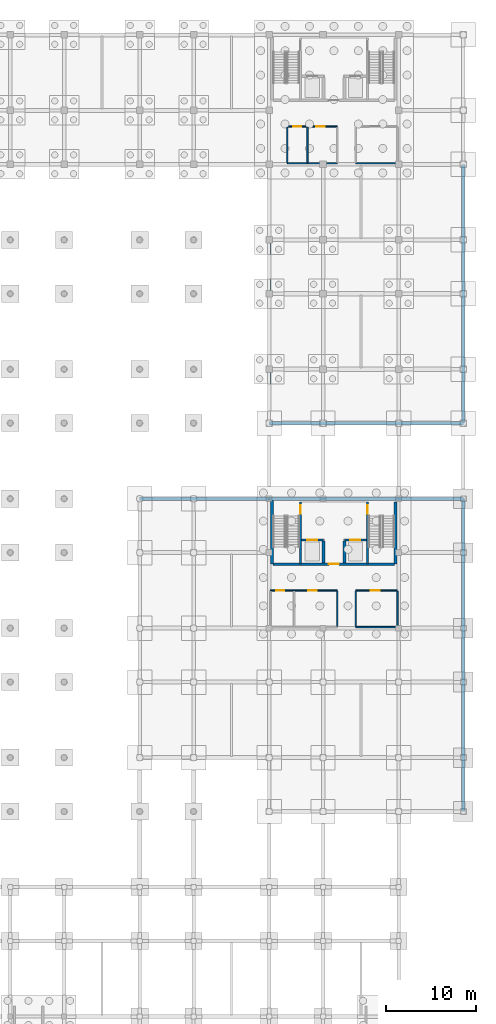
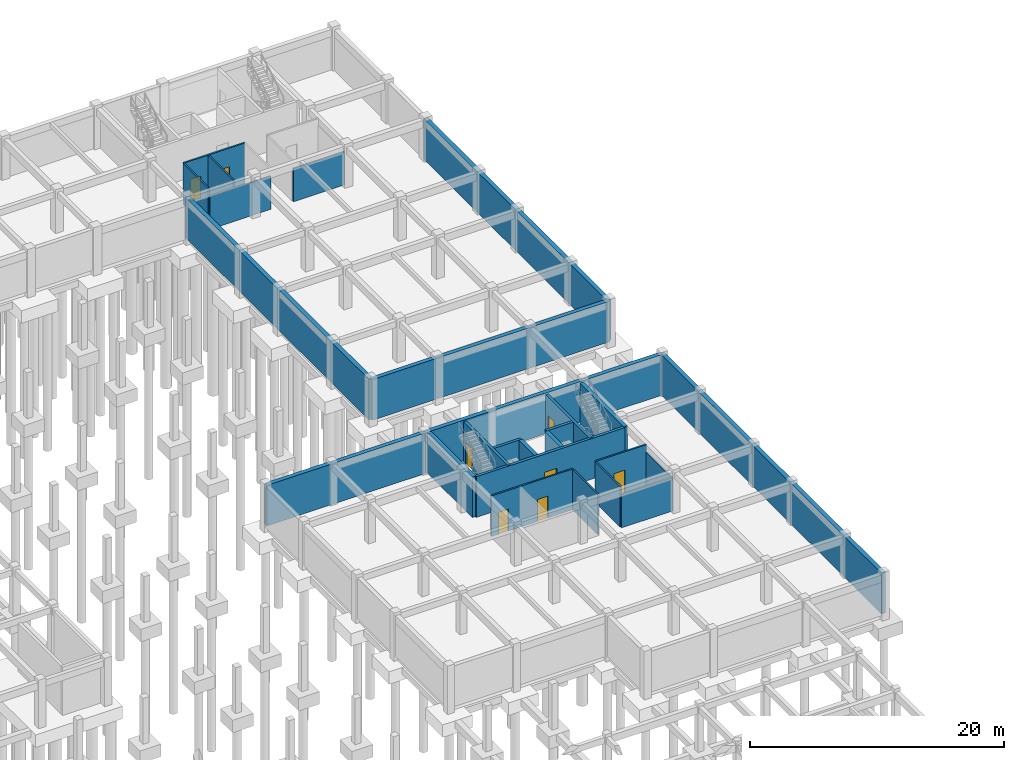
# One storey, part 30 of 40: 26 walls, 10 doors, 10 openings.
"""IFC4 building model written with IfcOpenShell, lengths in metres."""

from ifc_helpers import new_model, si_unit, direction, frame, frame_2d, origin, place, context, subcontext, project, spatial, rectangle, extrude, material, layer, layer_set, type_object, element, fill, save


model = new_model("IFC4")

# Units and contexts
model_context = context("Model", 3, precision=1e-05, world=origin(), true_north=direction((0.0, 1.0)))
body_context = subcontext(model_context, "Body", "Model", "MODEL_VIEW")
ifc_project = project(units=[si_unit("LENGTHUNIT", "METRE"), si_unit("AREAUNIT", "SQUARE_METRE"), si_unit("VOLUMEUNIT", "CUBIC_METRE"), si_unit("PLANEANGLEUNIT", "RADIAN"), si_unit("MASSUNIT", "GRAM", prefix="KILO"), si_unit("THERMODYNAMICTEMPERATUREUNIT", "KELVIN")], contexts=[model_context])

# Site, building, storey
site_placement = place(None, origin())
site = spatial("IfcSite", under=ifc_project, at=site_placement, CompositionType="ELEMENT")
building_placement = place(site_placement, origin())
building = spatial("IfcBuilding", under=site, at=building_placement, Name="Thalorik Housing Commons", CompositionType="ELEMENT")
storey_placement = place(building_placement, frame((0.0, 0.0, -4.199951171875)))
storey = spatial("IfcBuildingStorey", under=building, at=storey_placement, Name="B1", CompositionType="ELEMENT", Elevation=-4.199951171875)

# Wall, opening, door
ifc_material_1 = material(Name="Concrete C40/50", Category="concrete")
ifc_layer_1 = layer(ifc_material_1, 0.25, Name="Concrete C40/50", Category="concrete")
ifc_layer_set_1 = layer_set([ifc_layer_1], Name="Concrete C40/50")
wall_type_1 = type_object("IfcWallType", Name="ARC-WAL-CORE-250", PredefinedType="SHEAR", material=ifc_layer_set_1)
wall_1_placement = place(storey_placement, frame((155.875, 71.64990234375, 0.0), z_axis=(0.0, 0.0, 1.0), x_axis=(0.0, -1.0, 0.0)))
wall_1 = element("IfcWall", 1, at=wall_1_placement, inside=storey, type_object=wall_type_1, Name="B1 Core D Stair 1 Shear Wall", PredefinedType="SHEAR", context=body_context, shape_type="SweptSolid", body=[
    extrude(rectangle(XDim=6.9248046875, YDim=0.25, at=frame_2d((3.46240234375, 0.0))), origin(), (0.0, 0.0, 1.0), 3.89990234375),
])
opening_1_placement = place(wall_1_placement, frame((0.35009765625, 0.0, 0.0)))
opening_1 = element("IfcOpeningElement", 2, at=opening_1_placement, cuts=wall_1, Name="Opening ID-0345", PredefinedType="OPENING", context=body_context, shape_type="SweptSolid", body=[
    extrude(rectangle(XDim=0.949951171875, YDim=2.10009765625, at=frame_2d((0.47509765625, 1.050048828125))), frame((0.0, 0.135009765625, 0.0), z_axis=(0.0, -1.0, 0.0), x_axis=(1.0, 0.0, 0.0)), (0.0, 0.0, 1.0), 0.27001953125),
])
ifc_material_2 = material(Name="Steel S355", Category="steel")
door_type_1 = type_object("IfcDoorType", Name="ARC-DR-FD60-950", OperationType="NOTDEFINED", PredefinedType="DOOR", material=ifc_material_2)
door_1_placement = place(opening_1_placement, origin())
door_1 = element("IfcDoor", 3, at=door_1_placement, inside=storey, type_object=door_type_1, Name="B1 Stair ST-D1 Fire Door", OperationType="SINGLE_SWING_RIGHT", OverallHeight=2.10009765625, OverallWidth=0.949951171875, PredefinedType="DOOR", context=body_context, shape_type="SweptSolid", body=[
    extrude(rectangle(XDim=0.949951171875, YDim=2.10009765625, at=frame_2d((0.47509765625, 1.050048828125))), frame((0.0, 0.02490234375, 0.0), z_axis=(0.0, -1.0, 0.0), x_axis=(1.0, 0.0, 0.0)), (0.0, 0.0, 1.0), 0.050048828125),
])
fill(opening_1, door_1)

wall_2_placement = place(storey_placement, frame((163.324951171875, 71.64990234375, 0.0), z_axis=(0.0, 0.0, 1.0), x_axis=(0.0, -1.0, 0.0)))
wall_2 = element("IfcWall", 4, at=wall_2_placement, inside=storey, type_object=wall_type_1, Name="B1 Core D Stair 2 Shear Wall", PredefinedType="SHEAR", context=body_context, shape_type="SweptSolid", body=[
    extrude(rectangle(XDim=6.9248046875, YDim=0.25, at=frame_2d((3.46240234375, 0.0))), origin(), (0.0, 0.0, 1.0), 3.89990234375),
])
opening_2_placement = place(wall_2_placement, frame((0.35009765625, 0.0, 0.0)))
opening_2 = element("IfcOpeningElement", 5, at=opening_2_placement, cuts=wall_2, Name="Opening ID-0346", PredefinedType="OPENING", context=body_context, shape_type="SweptSolid", body=[
    extrude(rectangle(XDim=0.949951171875, YDim=2.10009765625, at=frame_2d((0.47509765625, 1.050048828125))), frame((0.0, 0.135009765625, 0.0), z_axis=(0.0, -1.0, 0.0), x_axis=(1.0, 0.0, 0.0)), (0.0, 0.0, 1.0), 0.27001953125),
])
door_2_placement = place(opening_2_placement, origin())
door_2 = element("IfcDoor", 6, at=door_2_placement, inside=storey, type_object=door_type_1, Name="B1 Stair ST-D2 Fire Door", OperationType="SINGLE_SWING_LEFT", OverallHeight=2.10009765625, OverallWidth=0.949951171875, PredefinedType="DOOR", context=body_context, shape_type="SweptSolid", body=[
    extrude(rectangle(XDim=0.949951171875, YDim=2.10009765625, at=frame_2d((0.47509765625, 1.050048828125))), frame((0.0, 0.02490234375, 0.0), z_axis=(0.0, -1.0, 0.0), x_axis=(1.0, 0.0, 0.0)), (0.0, 0.0, 1.0), 0.050048828125),
])
fill(opening_2, door_2)

wall_3_placement = place(storey_placement, frame((156.0, 67.39990234375, 0.0), z_axis=(0.0, 0.0, 1.0), x_axis=(1.0, 0.0, 0.0)))
wall_3 = element("IfcWall", 7, at=wall_3_placement, inside=storey, type_object=wall_type_1, Name="B1 Lift LP-D1 Front Shaft Wall", PredefinedType="SHEAR", context=body_context, shape_type="SweptSolid", body=[
    extrude(rectangle(XDim=2.425048828125, YDim=0.25, at=frame_2d((1.21240234375, 0.0))), origin(), (0.0, 0.0, 1.0), 3.89990234375),
])
opening_3_placement = place(wall_3_placement, frame((0.64990234375, 0.0, 0.0)))
opening_3 = element("IfcOpeningElement", 8, at=opening_3_placement, cuts=wall_3, Name="Opening LD-LP-D1-B1", PredefinedType="OPENING", context=body_context, shape_type="SweptSolid", body=[
    extrude(rectangle(XDim=1.10009765625, YDim=2.14990234375, at=frame_2d((0.550048828125, 1.074951171875))), frame((0.0, 0.135009765625, 0.0), z_axis=(0.0, -1.0, 0.0), x_axis=(1.0, 0.0, 0.0)), (0.0, 0.0, 1.0), 0.27001953125),
])
door_type_2 = type_object("IfcDoorType", Name="ARC-DR-LIFT-1100", OperationType="NOTDEFINED", PredefinedType="DOOR", material=ifc_material_2)
door_3_placement = place(opening_3_placement, origin())
door_3 = element("IfcDoor", 9, at=door_3_placement, inside=storey, type_object=door_type_2, Name="B1 Lift LP-D1 Landing Door", OperationType="SLIDING_TO_LEFT", OverallHeight=2.14990234375, OverallWidth=1.10009765625, PredefinedType="DOOR", context=body_context, shape_type="SweptSolid", body=[
    extrude(rectangle(XDim=1.10009765625, YDim=2.14990234375, at=frame_2d((0.550048828125, 1.074951171875))), frame((0.0, 0.02490234375, 0.0), z_axis=(0.0, -1.0, 0.0), x_axis=(1.0, 0.0, 0.0)), (0.0, 0.0, 1.0), 0.050048828125),
])
fill(opening_3, door_3)

wall_4_placement = place(storey_placement, frame((160.77490234375, 67.39990234375, 0.0), z_axis=(0.0, 0.0, 1.0), x_axis=(1.0, 0.0, 0.0)))
wall_4 = element("IfcWall", 10, at=wall_4_placement, inside=storey, type_object=wall_type_1, Name="B1 Lift LP-D2 Front Shaft Wall", PredefinedType="SHEAR", context=body_context, shape_type="SweptSolid", body=[
    extrude(rectangle(XDim=2.425048828125, YDim=0.25, at=frame_2d((1.21240234375, 0.0))), origin(), (0.0, 0.0, 1.0), 3.89990234375),
])
opening_4_placement = place(wall_4_placement, frame((0.64990234375, 0.0, 0.0)))
opening_4 = element("IfcOpeningElement", 11, at=opening_4_placement, cuts=wall_4, Name="Opening LD-LP-D2-B1", PredefinedType="OPENING", context=body_context, shape_type="SweptSolid", body=[
    extrude(rectangle(XDim=1.10009765625, YDim=2.14990234375, at=frame_2d((0.550048828125, 1.074951171875))), frame((0.0, 0.135009765625, 0.0), z_axis=(0.0, -1.0, 0.0), x_axis=(1.0, 0.0, 0.0)), (0.0, 0.0, 1.0), 0.27001953125),
])
door_4_placement = place(opening_4_placement, origin())
door_4 = element("IfcDoor", 12, at=door_4_placement, inside=storey, type_object=door_type_2, Name="B1 Lift LP-D2 Landing Door", OperationType="SLIDING_TO_LEFT", OverallHeight=2.14990234375, OverallWidth=1.10009765625, PredefinedType="DOOR", context=body_context, shape_type="SweptSolid", body=[
    extrude(rectangle(XDim=1.10009765625, YDim=2.14990234375, at=frame_2d((0.550048828125, 1.074951171875))), frame((0.0, 0.02490234375, 0.0), z_axis=(0.0, -1.0, 0.0), x_axis=(1.0, 0.0, 0.0)), (0.0, 0.0, 1.0), 0.050048828125),
])
fill(opening_4, door_4)

wall_5_placement = place(storey_placement, frame((152.85009765625, 64.72509765625, 0.0), z_axis=(0.0, 0.0, 1.0), x_axis=(1.0, 0.0, 0.0)))
wall_5 = element("IfcWall", 13, at=wall_5_placement, inside=storey, type_object=wall_type_1, Name="B1 Core D Spine Shear Wall", PredefinedType="SHEAR", context=body_context, shape_type="SweptSolid", body=[
    extrude(rectangle(XDim=13.5, YDim=0.25, at=frame_2d((6.75, 0.0))), origin(), (0.0, 0.0, 1.0), 3.89990234375),
])
opening_5_placement = place(wall_5_placement, frame((6.199951171875, 0.0, 0.0)))
opening_5 = element("IfcOpeningElement", 14, at=opening_5_placement, cuts=wall_5, Name="Opening ID-0349", PredefinedType="OPENING", context=body_context, shape_type="SweptSolid", body=[
    extrude(rectangle(XDim=1.10009765625, YDim=2.14990234375, at=frame_2d((0.550048828125, 1.074951171875))), frame((0.0, 0.135009765625, 0.0), z_axis=(0.0, -1.0, 0.0), x_axis=(1.0, 0.0, 0.0)), (0.0, 0.0, 1.0), 0.27001953125),
])
door_type_3 = type_object("IfcDoorType", Name="ARC-DR-FD60-1100", OperationType="NOTDEFINED", PredefinedType="DOOR", material=ifc_material_2)
door_5_placement = place(opening_5_placement, origin())
door_5 = element("IfcDoor", 15, at=door_5_placement, inside=storey, type_object=door_type_3, Name="B1 Core D Lobby Fire Door", OperationType="SINGLE_SWING_RIGHT", OverallHeight=2.14990234375, OverallWidth=1.10009765625, PredefinedType="DOOR", context=body_context, shape_type="SweptSolid", body=[
    extrude(rectangle(XDim=1.10009765625, YDim=2.14990234375, at=frame_2d((0.550048828125, 1.074951171875))), frame((0.0, 0.02490234375, 0.0), z_axis=(0.0, -1.0, 0.0), x_axis=(1.0, 0.0, 0.0)), (0.0, 0.0, 1.0), 0.050048828125),
])
fill(opening_5, door_5)

# Walls
ifc_layer_2 = layer(ifc_material_1, 0.340087890625, Name="Concrete C40/50", Category="concrete")
ifc_layer_set_2 = layer_set([ifc_layer_2], Name="Concrete C40/50")
wall_type_2 = type_object("IfcWallType", Name="ARC-WAL-CORE-340", PredefinedType="SHEAR", material=ifc_layer_set_2)
wall_6_placement = place(storey_placement, frame((152.72509765625, 71.800048828125, 0.0), z_axis=(0.0, 0.0, 1.0), x_axis=(0.0, -1.0, 0.0)))
element("IfcWall", 16, at=wall_6_placement, inside=storey, type_object=wall_type_2, Name="B1 Core D Stair 1 Outer Shear Wall", PredefinedType="SHEAR", context=body_context, shape_type="SweptSolid", body=[
    extrude(rectangle(XDim=7.074951171875, YDim=0.340087890625, at=frame_2d((3.53759765625, 0.0))), origin(), (0.0, 0.0, 1.0), 3.89990234375),
])
wall_7_placement = place(storey_placement, frame((166.47509765625, 71.64990234375, 0.0), z_axis=(0.0, 0.0, 1.0), x_axis=(0.0, -1.0, 0.0)))
element("IfcWall", 17, at=wall_7_placement, inside=storey, type_object=wall_type_2, Name="B1 Core D Stair 2 Outer Shear Wall", PredefinedType="SHEAR", context=body_context, shape_type="SweptSolid", body=[
    extrude(rectangle(XDim=6.9248046875, YDim=0.340087890625, at=frame_2d((3.46240234375, 0.0))), origin(), (0.0, 0.0, 1.0), 3.89990234375),
])
for number, where, z_axis, x_axis, name in (
    (18, (158.425048828125, 67.27490234375, 0.0), (0.0, 0.0, 1.0), (0.0, -1.0, 0.0), "B1 Lift 1 Cheek Wall"),
    (19, (160.77490234375, 67.27490234375, 0.0), (0.0, 0.0, 1.0), (0.0, -1.0, 0.0), "B1 Lift 2 Cheek Wall"),
):
    element("IfcWall", number, at=place(storey_placement, frame(where, z_axis=z_axis, x_axis=x_axis)), inside=storey, type_object=wall_type_2, Name=name, PredefinedType="SHEAR", context=body_context, shape_type="SweptSolid", body=[
        extrude(rectangle(XDim=2.4248046875, YDim=0.340087890625, at=frame_2d((1.21240234375, 0.0))), origin(), (0.0, 0.0, 1.0), 3.89990234375),
    ])
ifc_material_3 = material(Name="Ceramic masonry partition wall", Category="masonry")
ifc_layer_3 = layer(ifc_material_3, 0.14794921875, Name="Ceramic masonry partition wall", Category="masonry")
ifc_layer_set_3 = layer_set([ifc_layer_3], Name="Ceramic masonry partition wall")
wall_type_3 = type_object("IfcWallType", Name="ARC-WAL-PART-150", PredefinedType="PARTITIONING", material=ifc_layer_set_3)
for number, where, z_axis, x_axis, name in (
    (20, (154.419921875, 113.323974609375, 0.0), (0.0, 0.0, 1.0), (0.0, -1.0, 0.0), "Core West Enclosing Wall"),
    (21, (156.675048828125, 113.323974609375, 0.0), (0.0, 0.0, 1.0), (0.0, -1.0, 0.0), "Riser Wall"),
):
    element("IfcWall", number, at=place(storey_placement, frame(where, z_axis=z_axis, x_axis=x_axis)), inside=storey, type_object=wall_type_3, Name=name, PredefinedType="PARTITIONING", context=body_context, shape_type="SweptSolid", body=[
        extrude(rectangle(XDim=3.927978515625, YDim=0.14794921875, at=frame_2d((1.9638671875, 0.0))), origin(), (0.0, 0.0, 1.0), 3.89990234375),
    ])

# Wall, openings, doors
wall_8_placement = place(storey_placement, frame((154.419921875, 113.39990234375, 0.0), z_axis=(0.0, 0.0, 1.0), x_axis=(1.0, 0.0, 0.0)))
wall_8 = element("IfcWall", 22, at=wall_8_placement, inside=storey, type_object=wall_type_3, Name="B1 Core B West Corridor Partition", PredefinedType="PARTITIONING", context=body_context, shape_type="SweptSolid", body=[
    extrude(rectangle(XDim=5.55517578125, YDim=0.14794921875, at=frame_2d((2.777587890625, 0.0))), origin(), (0.0, 0.0, 1.0), 3.89990234375),
])
opening_6_placement = place(wall_8_placement, frame((0.64990234375, 0.0, 0.0)))
opening_6 = element("IfcOpeningElement", 23, at=opening_6_placement, cuts=wall_8, Name="Opening ID-0142", PredefinedType="OPENING", context=body_context, shape_type="SweptSolid", body=[
    extrude(rectangle(XDim=0.89990234375, YDim=2.10009765625, at=frame_2d((0.449951171875, 1.050048828125))), frame((0.0, 0.083984375, 0.0), z_axis=(0.0, -1.0, 0.0), x_axis=(1.0, 0.0, 0.0)), (0.0, 0.0, 1.0), 0.16796875),
])
opening_7_placement = place(wall_8_placement, frame((3.199951171875, 0.0, 0.0)))
opening_7 = element("IfcOpeningElement", 24, at=opening_7_placement, cuts=wall_8, Name="Opening ID-0143", PredefinedType="OPENING", context=body_context, shape_type="SweptSolid", body=[
    extrude(rectangle(XDim=0.949951171875, YDim=2.10009765625, at=frame_2d((0.47509765625, 1.050048828125))), frame((0.0, 0.083984375, 0.0), z_axis=(0.0, -1.0, 0.0), x_axis=(1.0, 0.0, 0.0)), (0.0, 0.0, 1.0), 0.16796875),
])
door_type_4 = type_object("IfcDoorType", Name="ARC-DR-FD60-900", OperationType="NOTDEFINED", PredefinedType="DOOR", material=ifc_material_2)
door_6_placement = place(opening_6_placement, origin())
door_6 = element("IfcDoor", 25, at=door_6_placement, inside=storey, type_object=door_type_4, Name="Electrical Riser Door", OperationType="SINGLE_SWING_LEFT", OverallHeight=2.10009765625, OverallWidth=0.89990234375, PredefinedType="DOOR", context=body_context, shape_type="SweptSolid", body=[
    extrude(rectangle(XDim=0.89990234375, YDim=2.10009765625, at=frame_2d((0.449951171875, 1.050048828125))), frame((0.0, 0.02490234375, 0.0), z_axis=(0.0, -1.0, 0.0), x_axis=(1.0, 0.0, 0.0)), (0.0, 0.0, 1.0), 0.050048828125),
])
fill(opening_6, door_6)
ifc_material_4 = material(Name="Engineered oak timber", Category="wood")
door_type_5 = type_object("IfcDoorType", Name="ARC-DR-INT-950", OperationType="NOTDEFINED", PredefinedType="DOOR", material=ifc_material_4)
door_7_placement = place(opening_7_placement, origin())
door_7 = element("IfcDoor", 26, at=door_7_placement, inside=storey, type_object=door_type_5, Name="Accessible Bathroom Door", OperationType="SINGLE_SWING_RIGHT", OverallHeight=2.10009765625, OverallWidth=0.949951171875, PredefinedType="DOOR", context=body_context, shape_type="SweptSolid", body=[
    extrude(rectangle(XDim=0.949951171875, YDim=2.10009765625, at=frame_2d((0.47509765625, 1.050048828125))), frame((0.0, 0.02490234375, 0.0), z_axis=(0.0, -1.0, 0.0), x_axis=(1.0, 0.0, 0.0)), (0.0, 0.0, 1.0), 0.050048828125),
])
fill(opening_7, door_7)

# Walls
wall_9_placement = place(storey_placement, frame((154.419921875, 109.320068359375, 0.0), z_axis=(0.0, 0.0, 1.0), x_axis=(1.0, 0.0, 0.0)))
element("IfcWall", 27, at=wall_9_placement, inside=storey, type_object=wall_type_3, Name="B1 Core B West Rooms Back Wall", PredefinedType="PARTITIONING", context=body_context, shape_type="SweptSolid", body=[
    extrude(rectangle(XDim=5.55517578125, YDim=0.14794921875, at=frame_2d((2.777587890625, 0.0))), origin(), (0.0, 0.0, 1.0), 3.18505859375),
])
wall_10_placement = place(storey_placement, frame((162.02490234375, 109.320068359375, 0.0), z_axis=(0.0, 0.0, 1.0), x_axis=(1.0, 0.0, 0.0)))
element("IfcWall", 28, at=wall_10_placement, inside=storey, type_object=wall_type_3, Name="B1 Core B East Rooms Back Wall", PredefinedType="PARTITIONING", context=body_context, shape_type="SweptSolid", body=[
    extrude(rectangle(XDim=4.635009765625, YDim=0.14794921875, at=frame_2d((2.3173828125, 0.0))), origin(), (0.0, 0.0, 1.0), 3.18505859375),
])
for number, where, z_axis, x_axis, name in (
    (29, (159.97509765625, 61.72412109375, 0.0), (0.0, 0.0, 1.0), (0.0, -1.0, 0.0), "Core Stem West Cheek Wall"),
    (30, (162.02490234375, 61.72412109375, 0.0), (0.0, 0.0, 1.0), (0.0, -1.0, 0.0), "Core Stem East Cheek Wall"),
):
    element("IfcWall", number, at=place(storey_placement, frame(where, z_axis=z_axis, x_axis=x_axis)), inside=storey, type_object=wall_type_3, Name=name, PredefinedType="PARTITIONING", context=body_context, shape_type="SweptSolid", body=[
        extrude(rectangle(XDim=3.92822265625, YDim=0.14794921875, at=frame_2d((1.964111328125, 0.0))), origin(), (0.0, 0.0, 1.0), 3.89990234375),
    ])
wall_11_placement = place(storey_placement, frame((166.659912109375, 61.72412109375, 0.0), z_axis=(0.0, 0.0, 1.0), x_axis=(0.0, -1.0, 0.0)))
element("IfcWall", 31, at=wall_11_placement, inside=storey, type_object=wall_type_3, Name="Core East Enclosing Wall", PredefinedType="PARTITIONING", context=body_context, shape_type="SweptSolid", body=[
    extrude(rectangle(XDim=3.92822265625, YDim=0.14794921875, at=frame_2d((1.964111328125, 0.0))), origin(), (0.0, 0.0, 1.0), 3.18505859375),
])

# Wall, openings, doors
wall_12_placement = place(storey_placement, frame((152.5400390625, 61.800048828125, 0.0), z_axis=(0.0, 0.0, 1.0), x_axis=(1.0, 0.0, 0.0)))
wall_12 = element("IfcWall", 32, at=wall_12_placement, inside=storey, type_object=wall_type_3, Name="B1 Core D West Corridor Partition", PredefinedType="PARTITIONING", context=body_context, shape_type="SweptSolid", body=[
    extrude(rectangle(XDim=7.43505859375, YDim=0.14794921875, at=frame_2d((3.717529296875, 0.0))), origin(), (0.0, 0.0, 1.0), 3.89990234375),
])
opening_8_placement = place(wall_12_placement, frame((0.64990234375, 0.0, 0.0)))
opening_8 = element("IfcOpeningElement", 33, at=opening_8_placement, cuts=wall_12, Name="Opening ID-0350", PredefinedType="OPENING", context=body_context, shape_type="SweptSolid", body=[
    extrude(rectangle(XDim=0.89990234375, YDim=2.10009765625, at=frame_2d((0.449951171875, 1.050048828125))), frame((0.0, 0.083984375, 0.0), z_axis=(0.0, -1.0, 0.0), x_axis=(1.0, 0.0, 0.0)), (0.0, 0.0, 1.0), 0.16796875),
])
opening_9_placement = place(wall_12_placement, frame((4.199951171875, 0.0, 0.0)))
opening_9 = element("IfcOpeningElement", 34, at=opening_9_placement, cuts=wall_12, Name="Opening ID-0351", PredefinedType="OPENING", context=body_context, shape_type="SweptSolid", body=[
    extrude(rectangle(XDim=0.949951171875, YDim=2.10009765625, at=frame_2d((0.47509765625, 1.050048828125))), frame((0.0, 0.083984375, 0.0), z_axis=(0.0, -1.0, 0.0), x_axis=(1.0, 0.0, 0.0)), (0.0, 0.0, 1.0), 0.16796875),
])
door_8_placement = place(opening_8_placement, origin())
door_8 = element("IfcDoor", 35, at=door_8_placement, inside=storey, type_object=door_type_4, Name="Electrical Riser Door", OperationType="SINGLE_SWING_LEFT", OverallHeight=2.10009765625, OverallWidth=0.89990234375, PredefinedType="DOOR", context=body_context, shape_type="SweptSolid", body=[
    extrude(rectangle(XDim=0.89990234375, YDim=2.10009765625, at=frame_2d((0.449951171875, 1.050048828125))), frame((0.0, 0.02490234375, 0.0), z_axis=(0.0, -1.0, 0.0), x_axis=(1.0, 0.0, 0.0)), (0.0, 0.0, 1.0), 0.050048828125),
])
fill(opening_8, door_8)
door_9_placement = place(opening_9_placement, origin())
door_9 = element("IfcDoor", 36, at=door_9_placement, inside=storey, type_object=door_type_5, Name="Accessible Bathroom Door", OperationType="SINGLE_SWING_RIGHT", OverallHeight=2.10009765625, OverallWidth=0.949951171875, PredefinedType="DOOR", context=body_context, shape_type="SweptSolid", body=[
    extrude(rectangle(XDim=0.949951171875, YDim=2.10009765625, at=frame_2d((0.47509765625, 1.050048828125))), frame((0.0, 0.02490234375, 0.0), z_axis=(0.0, -1.0, 0.0), x_axis=(1.0, 0.0, 0.0)), (0.0, 0.0, 1.0), 0.050048828125),
])
fill(opening_9, door_9)

# Wall, opening, door
wall_13_placement = place(storey_placement, frame((162.02490234375, 61.800048828125, 0.0), z_axis=(0.0, 0.0, 1.0), x_axis=(1.0, 0.0, 0.0)))
wall_13 = element("IfcWall", 37, at=wall_13_placement, inside=storey, type_object=wall_type_3, Name="B1 Core D East Corridor Partition", PredefinedType="PARTITIONING", context=body_context, shape_type="SweptSolid", body=[
    extrude(rectangle(XDim=4.635009765625, YDim=0.14794921875, at=frame_2d((2.3173828125, 0.0))), origin(), (0.0, 0.0, 1.0), 3.89990234375),
])
opening_10_placement = place(wall_13_placement, frame((1.64990234375, 0.0, 0.0)))
opening_10 = element("IfcOpeningElement", 38, at=opening_10_placement, cuts=wall_13, Name="Opening ID-0352", PredefinedType="OPENING", context=body_context, shape_type="SweptSolid", body=[
    extrude(rectangle(XDim=1.0, YDim=2.14990234375, at=frame_2d((0.5, 1.074951171875))), frame((0.0, 0.083984375, 0.0), z_axis=(0.0, -1.0, 0.0), x_axis=(1.0, 0.0, 0.0)), (0.0, 0.0, 1.0), 0.16796875),
])
door_type_6 = type_object("IfcDoorType", Name="ARC-DR-FD60-1000", OperationType="NOTDEFINED", PredefinedType="DOOR", material=ifc_material_2)
door_10_placement = place(opening_10_placement, origin())
door_10 = element("IfcDoor", 39, at=door_10_placement, inside=storey, type_object=door_type_6, Name="Core Hub Room Door", OperationType="SINGLE_SWING_LEFT", OverallHeight=2.14990234375, OverallWidth=1.0, PredefinedType="DOOR", context=body_context, shape_type="SweptSolid", body=[
    extrude(rectangle(XDim=1.0, YDim=2.14990234375, at=frame_2d((0.5, 1.074951171875))), frame((0.0, 0.02490234375, 0.0), z_axis=(0.0, -1.0, 0.0), x_axis=(1.0, 0.0, 0.0)), (0.0, 0.0, 1.0), 0.050048828125),
])
fill(opening_10, door_10)

# Walls
wall_14_placement = place(storey_placement, frame((162.02490234375, 57.719970703125, 0.0), z_axis=(0.0, 0.0, 1.0), x_axis=(1.0, 0.0, 0.0)))
element("IfcWall", 40, at=wall_14_placement, inside=storey, type_object=wall_type_3, Name="B1 Core D East Rooms Back Wall", PredefinedType="PARTITIONING", context=body_context, shape_type="SweptSolid", body=[
    extrude(rectangle(XDim=4.635009765625, YDim=0.14794921875, at=frame_2d((2.3173828125, 0.0))), origin(), (0.0, 0.0, 1.0), 3.18505859375),
])
ifc_layer_4 = layer(ifc_material_1, 0.3798828125, Name="Concrete C40/50", Category="concrete")
ifc_layer_set_4 = layer_set([ifc_layer_4], Name="Concrete C40/50")
wall_type_4 = type_object("IfcWallType", Name="ARC-WAL-RET-380", PredefinedType="SHEAR", material=ifc_layer_set_4)
wall_15_placement = place(storey_placement, frame((152.39990234375, 109.199951171875, 0.0), z_axis=(0.0, 0.0, 1.0), x_axis=(0.0, -1.0, 0.0)))
element("IfcWall", 41, at=wall_15_placement, inside=storey, type_object=wall_type_4, Name="B1 Exterior Wall WAL-B1-BLKB-5", PredefinedType="SHEAR", context=body_context, shape_type="SweptSolid", body=[
    extrude(rectangle(XDim=28.800048828125, YDim=0.3798828125, at=frame_2d((14.39990234375, 0.0))), origin(), (0.0, 0.0, 1.0), 3.89990234375),
])
wall_16_placement = place(storey_placement, frame((152.39990234375, 80.39990234375, 0.0), z_axis=(0.0, 0.0, 1.0), x_axis=(1.0, 0.0, 0.0)))
element("IfcWall", 42, at=wall_16_placement, inside=storey, type_object=wall_type_4, Name="B1 Exterior Wall WAL-B1-BLKB-6", PredefinedType="SHEAR", context=body_context, shape_type="SweptSolid", body=[
    extrude(rectangle(XDim=21.60009765625, YDim=0.3798828125, at=frame_2d((10.800048828125, 0.0))), origin(), (0.0, 0.0, 1.0), 3.89990234375),
])
wall_17_placement = place(storey_placement, frame((174.0, 80.39990234375, 0.0), z_axis=(0.0, 0.0, 1.0), x_axis=(0.0, 1.0, 0.0)))
element("IfcWall", 43, at=wall_17_placement, inside=storey, type_object=wall_type_4, Name="B1 Exterior Wall WAL-B1-BLKB-7", PredefinedType="SHEAR", context=body_context, shape_type="SweptSolid", body=[
    extrude(rectangle(XDim=28.800048828125, YDim=0.3798828125, at=frame_2d((14.39990234375, 0.0))), origin(), (0.0, 0.0, 1.0), 3.89990234375),
])
wall_18_placement = place(storey_placement, frame((152.39990234375, 72.0, 0.0), z_axis=(0.0, 0.0, 1.0), x_axis=(-1.0, 0.0, 0.0)))
element("IfcWall", 44, at=wall_18_placement, inside=storey, type_object=wall_type_4, Name="B1 Exterior Wall WAL-B1-BLKD-1", PredefinedType="SHEAR", context=body_context, shape_type="SweptSolid", body=[
    extrude(rectangle(XDim=14.39990234375, YDim=0.3798828125, at=frame_2d((7.199951171875, 0.0))), origin(), (0.0, 0.0, 1.0), 3.89990234375),
])
wall_19_placement = place(storey_placement, frame((174.0, 37.199951171875, 0.0), z_axis=(0.0, 0.0, 1.0), x_axis=(0.0, 1.0, 0.0)))
element("IfcWall", 45, at=wall_19_placement, inside=storey, type_object=wall_type_4, Name="B1 Exterior Wall WAL-B1-BLKD-6", PredefinedType="SHEAR", context=body_context, shape_type="SweptSolid", body=[
    extrude(rectangle(XDim=34.800048828125, YDim=0.3798828125, at=frame_2d((17.39990234375, 0.0))), origin(), (0.0, 0.0, 1.0), 3.89990234375),
])
wall_20_placement = place(storey_placement, frame((174.0, 72.0, 0.0), z_axis=(0.0, 0.0, 1.0), x_axis=(-1.0, 0.0, 0.0)))
element("IfcWall", 46, at=wall_20_placement, inside=storey, type_object=wall_type_4, Name="B1 Exterior Wall WAL-B1-BLKD-7", PredefinedType="SHEAR", context=body_context, shape_type="SweptSolid", body=[
    extrude(rectangle(XDim=21.60009765625, YDim=0.3798828125, at=frame_2d((10.800048828125, 0.0))), origin(), (0.0, 0.0, 1.0), 3.89990234375),
])

save(model, "model.ifc")
